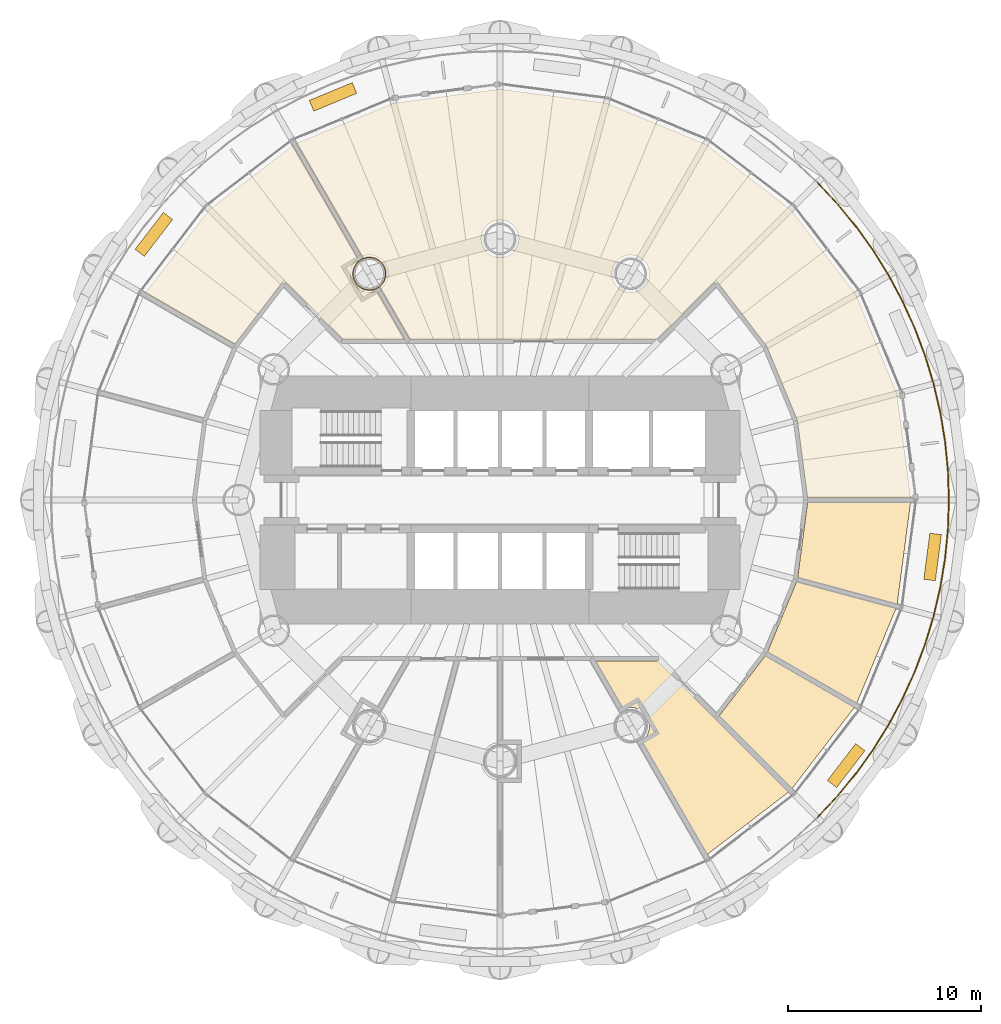
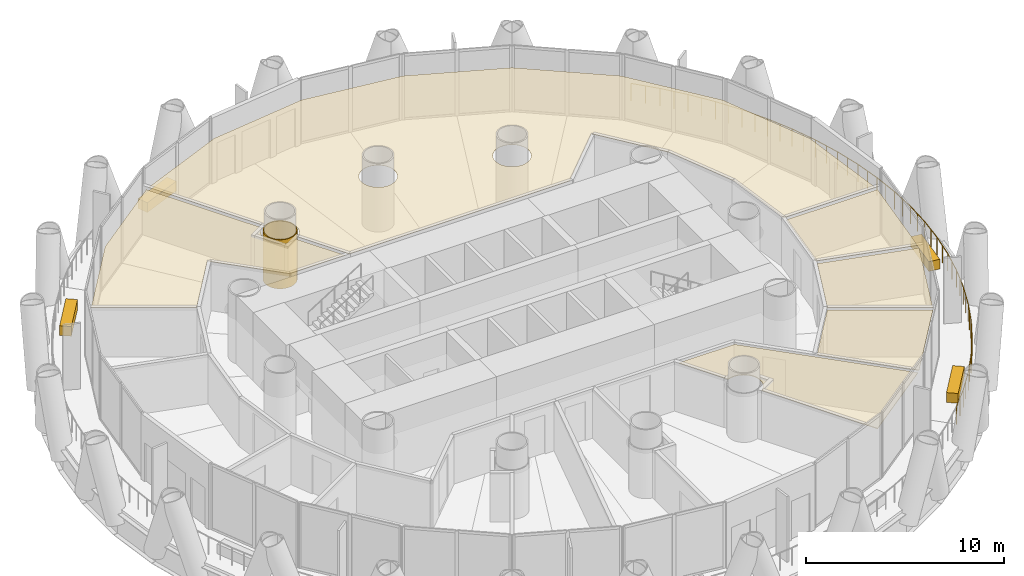
# One storey, part 15 of 16: 11 coverings, 1 railing.
"""IFC4 building model written with IfcOpenShell, lengths in metres."""

from ifc_helpers import new_model, si_unit, direction, frame, origin, origin_2d, place, context, subcontext, project, spatial, polyline, rectangle, circle, outline, extrude, material, layer, layer_set, type_object, element, save


model = new_model("IFC4")

# Units and contexts
model_context = context("Model", 3, precision=1e-05, world=origin(), true_north=direction((0.0, 1.0)))
body_context = subcontext(model_context, "Body", "Model", "MODEL_VIEW")
ifc_project = project(units=[si_unit("LENGTHUNIT", "METRE"), si_unit("AREAUNIT", "SQUARE_METRE"), si_unit("VOLUMEUNIT", "CUBIC_METRE"), si_unit("PLANEANGLEUNIT", "RADIAN"), si_unit("MASSUNIT", "GRAM", prefix="KILO")], contexts=[model_context])

# Site, building, storey
site_placement = place(None, origin())
site = spatial("IfcSite", under=ifc_project, at=site_placement, CompositionType="ELEMENT")
building_placement = place(site_placement, origin())
building = spatial("IfcBuilding", under=site, at=building_placement, Name="Qaws Media Tower", CompositionType="ELEMENT")
storey_placement = place(building_placement, frame((0.0, 0.0, 38.60009765625)))
storey = spatial("IfcBuildingStorey", under=building, at=storey_placement, Name="L07", CompositionType="ELEMENT", Elevation=38.60009765625)

# Coverings
ifc_material_1 = material(Name="40 perforated acoustic panels with mineral wool backing, suspended", Category="mineral fibre")
ifc_layer_1 = layer(ifc_material_1, 0.0400390625)
ifc_layer_set_1 = layer_set([ifc_layer_1], Name="Acoustic panel ceiling 40")
covering_type_1 = type_object("IfcCoveringType", Name="Acoustic panel ceiling 40", PredefinedType="CEILING", material=ifc_layer_set_1)
covering_1_placement = place(storey_placement, frame((0.0, 0.0, 2.849853515625)))
element("IfcCovering", 1, at=covering_1_placement, inside=storey, type_object=covering_type_1, Name="CL3 ceiling L07-11 Podcast booth", PredefinedType="CEILING", context=body_context, shape_type="SweptSolid", body=[
    extrude(outline(polyline([(70.70751953125, 31.6787109375), (67.330078125, 37.528564453125), (67.34228515625, 37.53662109375), (67.43798828125, 37.62060546875), (67.52197265625, 37.71630859375), (67.592529296875, 37.822265625), (67.64892578125, 37.936279296875), (67.689697265625, 38.056884765625), (67.714599609375, 38.181640625), (67.722900390625, 38.30859375), (67.714599609375, 38.435791015625), (67.689697265625, 38.560546875), (67.64892578125, 38.680908203125), (67.592529296875, 38.795166015625), (67.52197265625, 38.90087890625), (67.43798828125, 38.99658203125), (67.34228515625, 39.08056640625), (67.236572265625, 39.1513671875), (67.122314453125, 39.20751953125), (67.001708984375, 39.24853515625), (66.876953125, 39.273193359375), (66.75, 39.28173828125), (66.623046875, 39.273193359375), (66.498291015625, 39.24853515625), (66.377685546875, 39.20751953125), (66.364501953125, 39.201171875), (64.92919921875, 41.6875), (68.1533203125, 41.6875), (74.925537109375, 34.915283203125), (70.70751953125, 31.6787109375)])), origin(), (0.0, 0.0, 1.0), 0.0400390625),
])
covering_2_placement = place(storey_placement, frame((0.0, 0.0, 2.849853515625)))
element("IfcCovering", 2, at=covering_2_placement, inside=storey, type_object=covering_type_1, Name="CL3 ceiling L07-12 Music library", PredefinedType="CEILING", context=body_context, shape_type="SweptSolid", body=[
    extrude(outline(polyline([(73.71240234375, 41.953125), (78.3212890625, 39.29248046875), (75.084716796875, 35.074462890625), (71.321533203125, 38.83740234375), (73.71240234375, 41.953125)])), origin(), (0.0, 0.0, 1.0), 0.0400390625),
])

# Railing
ifc_material_2 = material(Name="Stainless steel and glass guard", Category="steel")
railing_type = type_object("IfcRailingType", Name="Balcony guard 1100", PredefinedType="GUARDRAIL", material=ifc_material_2)
railing_placement = place(storey_placement, frame((76.40478515625, 33.59521484375, 0.0)))
element("IfcRailing", 3, at=railing_placement, inside=storey, type_object=railing_type, Name="GR1 balcony guard L07-4", PredefinedType="GUARDRAIL", context=body_context, shape_type="SweptSolid", body=[
    extrude(circle(Radius=0.02392578125, at=origin_2d()), frame((0.0, 0.0, 1.076171875), z_axis=(0.683652198388, 0.729807969016, 0.0), x_axis=(-0.729807969016, 0.683652198388, 0.0)), (0.0, 0.0, 1.0), 1.51806640625),
    extrude(circle(Radius=0.02392578125, at=origin_2d()), frame((1.037841796875, 1.10791015625, 1.076171875), z_axis=(0.634393000934, 0.773010685803, 0.0), x_axis=(-0.773010685803, 0.634393000934, 0.0)), (0.0, 0.0, 1.0), 1.518310546875),
    extrude(circle(Radius=0.02392578125, at=origin_2d()), frame((2.0009765625, 2.281494140625, 1.076171875), z_axis=(0.582439258661, 0.812874227646, 0.0), x_axis=(-0.812874227646, 0.582439258661, 0.0)), (0.0, 0.0, 1.0), 1.518310546875),
    extrude(circle(Radius=0.02392578125, at=origin_2d()), frame((2.88525390625, 3.515625, 1.076171875), z_axis=(0.528147294252, 0.849152775167, 0.0), x_axis=(-0.849152775167, 0.528147294252, 0.0)), (0.0, 0.0, 1.0), 1.51806640625),
    extrude(circle(Radius=0.02392578125, at=origin_2d()), frame((3.68701171875, 4.8046875, 1.076171875), z_axis=(0.471297483953, 0.881974308934, 0.0), x_axis=(-0.881974308934, 0.471297483953, 0.0)), (0.0, 0.0, 1.0), 1.518310546875),
    extrude(circle(Radius=0.02392578125, at=origin_2d()), frame((4.402587890625, 6.143798828125, 1.076171875), z_axis=(0.41279708395, 0.910823016553, 0.0), x_axis=(-0.910823016553, 0.41279708395, 0.0)), (0.0, 0.0, 1.0), 1.518310546875),
    extrude(circle(Radius=0.02392578125, at=origin_2d()), frame((5.029296875, 7.526611328125, 1.076171875), z_axis=(0.352180618684, 0.935932055132, 0.0), x_axis=(-0.935932055132, 0.352180618684, 0.0)), (0.0, 0.0, 1.0), 1.51806640625),
    extrude(circle(Radius=0.02392578125, at=origin_2d()), frame((5.56396484375, 8.947509765625, 1.076171875), z_axis=(0.290297524602, 0.956936438438, 0.0), x_axis=(-0.956936438438, 0.290297524602, 0.0)), (0.0, 0.0, 1.0), 1.51806640625),
    extrude(circle(Radius=0.02392578125, at=origin_2d()), frame((6.004638671875, 10.400146484375, 1.076171875), z_axis=(0.227066936159, 0.973879153952, 0.0), x_axis=(-0.973879153952, 0.227066936159, 0.0)), (0.0, 0.0, 1.0), 1.51806640625),
    extrude(circle(Radius=0.02392578125, at=origin_2d()), frame((6.349365234375, 11.878662109375, 1.076171875), z_axis=(0.162912287394, 0.986640555935, 0.0), x_axis=(-0.986640555935, 0.162912287394, 0.0)), (0.0, 0.0, 1.0), 1.51806640625),
    extrude(circle(Radius=0.02392578125, at=origin_2d()), frame((6.5966796875, 13.37646484375, 1.076171875), z_axis=(0.098086686613, 0.995177874507, 0.0), x_axis=(-0.995177874507, 0.098086686613, 0.0)), (0.0, 0.0, 1.0), 1.518310546875),
    extrude(circle(Radius=0.02392578125, at=origin_2d()), frame((6.74560546875, 14.887451171875, 1.076171875), z_axis=(0.032645502765, 0.999466993527, 0.0), x_axis=(-0.999466993527, 0.032645502765, 0.0)), (0.0, 0.0, 1.0), 1.51806640625),
    extrude(circle(Radius=0.02392578125, at=origin_2d()), frame((6.795166015625, 16.40478515625, 1.076171875), z_axis=(-0.032645502765, 0.999466993527, 0.0), x_axis=(-0.999466993527, -0.032645502765, 0.0)), (0.0, 0.0, 1.0), 1.51806640625),
    extrude(circle(Radius=0.02392578125, at=origin_2d()), frame((6.74560546875, 17.922119140625, 1.076171875), z_axis=(-0.098086686613, 0.995177874507, 0.0), x_axis=(-0.995177874507, -0.098086686613, 0.0)), (0.0, 0.0, 1.0), 1.518310546875),
    extrude(circle(Radius=0.02392578125, at=origin_2d()), frame((6.5966796875, 19.43310546875, 1.076171875), z_axis=(-0.162912287394, 0.986640555935, 0.0), x_axis=(-0.986640555935, -0.162912287394, 0.0)), (0.0, 0.0, 1.0), 1.51806640625),
    extrude(circle(Radius=0.02392578125, at=origin_2d()), frame((6.349365234375, 20.930908203125, 1.076171875), z_axis=(-0.227066936159, 0.973879153952, 0.0), x_axis=(-0.973879153952, -0.227066936159, 0.0)), (0.0, 0.0, 1.0), 1.51806640625),
    extrude(circle(Radius=0.02392578125, at=origin_2d()), frame((6.004638671875, 22.409423828125, 1.076171875), z_axis=(-0.290297524602, 0.956936438438, 0.0), x_axis=(-0.956936438438, -0.290297524602, 0.0)), (0.0, 0.0, 1.0), 1.51806640625),
    extrude(circle(Radius=0.02392578125, at=origin_2d()), frame((5.56396484375, 23.862060546875, 1.076171875), z_axis=(-0.352180618684, 0.935932055132, 0.0), x_axis=(-0.935932055132, -0.352180618684, 0.0)), (0.0, 0.0, 1.0), 1.51806640625),
    extrude(circle(Radius=0.02392578125, at=origin_2d()), frame((5.029296875, 25.282958984375, 1.076171875), z_axis=(-0.41279708395, 0.910823016553, 0.0), x_axis=(-0.910823016553, -0.41279708395, 0.0)), (0.0, 0.0, 1.0), 1.518310546875),
    extrude(circle(Radius=0.02392578125, at=origin_2d()), frame((4.402587890625, 26.665771484375, 1.076171875), z_axis=(-0.471297483953, 0.881974308934, 0.0), x_axis=(-0.881974308934, -0.471297483953, 0.0)), (0.0, 0.0, 1.0), 1.518310546875),
    extrude(circle(Radius=0.02392578125, at=origin_2d()), frame((3.68701171875, 28.0048828125, 1.076171875), z_axis=(-0.528147294252, 0.849152775167, 0.0), x_axis=(-0.849152775167, -0.528147294252, 0.0)), (0.0, 0.0, 1.0), 1.51806640625),
    extrude(circle(Radius=0.02392578125, at=origin_2d()), frame((2.88525390625, 29.2939453125, 1.076171875), z_axis=(-0.582439258661, 0.812874227646, 0.0), x_axis=(-0.812874227646, -0.582439258661, 0.0)), (0.0, 0.0, 1.0), 1.518310546875),
    extrude(circle(Radius=0.02392578125, at=origin_2d()), frame((2.0009765625, 30.528076171875, 1.076171875), z_axis=(-0.634393000934, 0.773010685803, 0.0), x_axis=(-0.773010685803, -0.634393000934, 0.0)), (0.0, 0.0, 1.0), 1.518310546875),
    extrude(circle(Radius=0.02392578125, at=origin_2d()), frame((1.037841796875, 31.70166015625, 1.076171875), z_axis=(-0.683652198388, 0.729807969016, 0.0), x_axis=(-0.729807969016, -0.683652198388, 0.0)), (0.0, 0.0, 1.0), 1.51806640625),
    extrude(circle(Radius=0.02099609375, at=origin_2d()), origin(), (0.0, 0.0, 1.0), 1.052001953125),
    extrude(circle(Radius=0.02099609375, at=origin_2d()), frame((0.51904296875, 0.553955078125, 0.0)), (0.0, 0.0, 1.0), 1.052001953125),
    extrude(circle(Radius=0.02099609375, at=origin_2d()), frame((1.037841796875, 1.10791015625, 0.0)), (0.0, 0.0, 1.0), 1.052001953125),
    extrude(circle(Radius=0.02099609375, at=origin_2d()), frame((1.51953125, 1.69482421875, 0.0)), (0.0, 0.0, 1.0), 1.052001953125),
    extrude(circle(Radius=0.02099609375, at=origin_2d()), frame((2.0009765625, 2.281494140625, 0.0)), (0.0, 0.0, 1.0), 1.052001953125),
    extrude(circle(Radius=0.02099609375, at=origin_2d()), frame((2.443115234375, 2.8984375, 0.0)), (0.0, 0.0, 1.0), 1.052001953125),
    extrude(circle(Radius=0.02099609375, at=origin_2d()), frame((2.88525390625, 3.515625, 0.0)), (0.0, 0.0, 1.0), 1.052001953125),
    extrude(circle(Radius=0.02099609375, at=origin_2d()), frame((3.2861328125, 4.16015625, 0.0)), (0.0, 0.0, 1.0), 1.052001953125),
    extrude(circle(Radius=0.02099609375, at=origin_2d()), frame((3.68701171875, 4.8046875, 0.0)), (0.0, 0.0, 1.0), 1.052001953125),
    extrude(circle(Radius=0.02099609375, at=origin_2d()), frame((4.044921875, 5.47412109375, 0.0)), (0.0, 0.0, 1.0), 1.052001953125),
    extrude(circle(Radius=0.02099609375, at=origin_2d()), frame((4.402587890625, 6.143798828125, 0.0)), (0.0, 0.0, 1.0), 1.052001953125),
    extrude(circle(Radius=0.02099609375, at=origin_2d()), frame((4.7158203125, 6.835205078125, 0.0)), (0.0, 0.0, 1.0), 1.052001953125),
    extrude(circle(Radius=0.02099609375, at=origin_2d()), frame((5.029296875, 7.526611328125, 0.0)), (0.0, 0.0, 1.0), 1.052001953125),
    extrude(circle(Radius=0.02099609375, at=origin_2d()), frame((5.296630859375, 8.237060546875, 0.0)), (0.0, 0.0, 1.0), 1.052001953125),
    extrude(circle(Radius=0.02099609375, at=origin_2d()), frame((5.56396484375, 8.947509765625, 0.0)), (0.0, 0.0, 1.0), 1.052001953125),
    extrude(circle(Radius=0.02099609375, at=origin_2d()), frame((5.7841796875, 9.673828125, 0.0)), (0.0, 0.0, 1.0), 1.052001953125),
    extrude(circle(Radius=0.02099609375, at=origin_2d()), frame((6.004638671875, 10.400146484375, 0.0)), (0.0, 0.0, 1.0), 1.052001953125),
    extrude(circle(Radius=0.02099609375, at=origin_2d()), frame((6.177001953125, 11.139404296875, 0.0)), (0.0, 0.0, 1.0), 1.052001953125),
    extrude(circle(Radius=0.02099609375, at=origin_2d()), frame((6.349365234375, 11.878662109375, 0.0)), (0.0, 0.0, 1.0), 1.052001953125),
    extrude(circle(Radius=0.02099609375, at=origin_2d()), frame((6.47314453125, 12.62744140625, 0.0)), (0.0, 0.0, 1.0), 1.052001953125),
    extrude(circle(Radius=0.02099609375, at=origin_2d()), frame((6.5966796875, 13.37646484375, 0.0)), (0.0, 0.0, 1.0), 1.052001953125),
    extrude(circle(Radius=0.02099609375, at=origin_2d()), frame((6.671142578125, 14.1318359375, 0.0)), (0.0, 0.0, 1.0), 1.052001953125),
    extrude(circle(Radius=0.02099609375, at=origin_2d()), frame((6.74560546875, 14.887451171875, 0.0)), (0.0, 0.0, 1.0), 1.052001953125),
    extrude(circle(Radius=0.02099609375, at=origin_2d()), frame((6.7705078125, 15.64599609375, 0.0)), (0.0, 0.0, 1.0), 1.052001953125),
    extrude(circle(Radius=0.02099609375, at=origin_2d()), frame((6.795166015625, 16.40478515625, 0.0)), (0.0, 0.0, 1.0), 1.052001953125),
    extrude(circle(Radius=0.02099609375, at=origin_2d()), frame((6.7705078125, 17.16357421875, 0.0)), (0.0, 0.0, 1.0), 1.052001953125),
    extrude(circle(Radius=0.02099609375, at=origin_2d()), frame((6.74560546875, 17.922119140625, 0.0)), (0.0, 0.0, 1.0), 1.052001953125),
    extrude(circle(Radius=0.02099609375, at=origin_2d()), frame((6.671142578125, 18.677734375, 0.0)), (0.0, 0.0, 1.0), 1.052001953125),
    extrude(circle(Radius=0.02099609375, at=origin_2d()), frame((6.5966796875, 19.43310546875, 0.0)), (0.0, 0.0, 1.0), 1.052001953125),
    extrude(circle(Radius=0.02099609375, at=origin_2d()), frame((6.47314453125, 20.18212890625, 0.0)), (0.0, 0.0, 1.0), 1.052001953125),
    extrude(circle(Radius=0.02099609375, at=origin_2d()), frame((6.349365234375, 20.930908203125, 0.0)), (0.0, 0.0, 1.0), 1.052001953125),
    extrude(circle(Radius=0.02099609375, at=origin_2d()), frame((6.177001953125, 21.670166015625, 0.0)), (0.0, 0.0, 1.0), 1.052001953125),
    extrude(circle(Radius=0.02099609375, at=origin_2d()), frame((6.004638671875, 22.409423828125, 0.0)), (0.0, 0.0, 1.0), 1.052001953125),
    extrude(circle(Radius=0.02099609375, at=origin_2d()), frame((5.7841796875, 23.1357421875, 0.0)), (0.0, 0.0, 1.0), 1.052001953125),
    extrude(circle(Radius=0.02099609375, at=origin_2d()), frame((5.56396484375, 23.862060546875, 0.0)), (0.0, 0.0, 1.0), 1.052001953125),
    extrude(circle(Radius=0.02099609375, at=origin_2d()), frame((5.296630859375, 24.572509765625, 0.0)), (0.0, 0.0, 1.0), 1.052001953125),
    extrude(circle(Radius=0.02099609375, at=origin_2d()), frame((5.029296875, 25.282958984375, 0.0)), (0.0, 0.0, 1.0), 1.052001953125),
    extrude(circle(Radius=0.02099609375, at=origin_2d()), frame((4.7158203125, 25.974365234375, 0.0)), (0.0, 0.0, 1.0), 1.052001953125),
    extrude(circle(Radius=0.02099609375, at=origin_2d()), frame((4.402587890625, 26.665771484375, 0.0)), (0.0, 0.0, 1.0), 1.052001953125),
    extrude(circle(Radius=0.02099609375, at=origin_2d()), frame((4.044921875, 27.33544921875, 0.0)), (0.0, 0.0, 1.0), 1.052001953125),
    extrude(circle(Radius=0.02099609375, at=origin_2d()), frame((3.68701171875, 28.0048828125, 0.0)), (0.0, 0.0, 1.0), 1.052001953125),
    extrude(circle(Radius=0.02099609375, at=origin_2d()), frame((3.2861328125, 28.6494140625, 0.0)), (0.0, 0.0, 1.0), 1.052001953125),
    extrude(circle(Radius=0.02099609375, at=origin_2d()), frame((2.88525390625, 29.2939453125, 0.0)), (0.0, 0.0, 1.0), 1.052001953125),
    extrude(circle(Radius=0.02099609375, at=origin_2d()), frame((2.443115234375, 29.9111328125, 0.0)), (0.0, 0.0, 1.0), 1.052001953125),
    extrude(circle(Radius=0.02099609375, at=origin_2d()), frame((2.0009765625, 30.528076171875, 0.0)), (0.0, 0.0, 1.0), 1.052001953125),
    extrude(circle(Radius=0.02099609375, at=origin_2d()), frame((1.51953125, 31.11474609375, 0.0)), (0.0, 0.0, 1.0), 1.052001953125),
    extrude(circle(Radius=0.02099609375, at=origin_2d()), frame((1.037841796875, 31.70166015625, 0.0)), (0.0, 0.0, 1.0), 1.052001953125),
    extrude(circle(Radius=0.02099609375, at=origin_2d()), frame((0.51904296875, 32.255615234375, 0.0)), (0.0, 0.0, 1.0), 1.052001953125),
    extrude(circle(Radius=0.02099609375, at=origin_2d()), frame((0.0, 32.8095703125, 0.0)), (0.0, 0.0, 1.0), 1.052001953125),
])

# Coverings
ifc_material_3 = material(Name="Two layers 15 fire-rated gypsum board on steel framing", Category="steel")
ifc_layer_2 = layer(ifc_material_3, 0.050048828125)
ifc_layer_set_2 = layer_set([ifc_layer_2], Name="Column fire casing")
covering_type_2 = type_object("IfcCoveringType", Name="Column fire casing", PredefinedType="CLADDING", material=ifc_layer_set_2)
covering_3_placement = place(storey_placement, origin())
element("IfcCovering", 4, at=covering_3_placement, inside=storey, type_object=covering_type_2, Name="CC1 column casing L07", PredefinedType="CLADDING", context=body_context, shape_type="SweptSolid", body=[
    extrude(outline(polyline([(54.117919921875, 61.69140625), (54.110595703125, 61.577880859375), (54.08837890625, 61.466796875), (54.052001953125, 61.359130859375), (54.001708984375, 61.25732421875), (53.938720703125, 61.162841796875), (53.86376953125, 61.07763671875), (53.7783203125, 61.002685546875), (53.68408203125, 60.939697265625), (53.582275390625, 60.889404296875), (53.474609375, 60.852783203125), (53.36328125, 60.830810546875), (53.25, 60.8232421875), (53.13671875, 60.830810546875), (53.025390625, 60.852783203125), (52.917724609375, 60.889404296875), (52.81591796875, 60.939697265625), (52.7216796875, 61.002685546875), (52.63623046875, 61.07763671875), (52.561279296875, 61.162841796875), (52.498291015625, 61.25732421875), (52.447998046875, 61.359130859375), (52.41162109375, 61.466796875), (52.389404296875, 61.577880859375), (52.382080078125, 61.69140625), (52.389404296875, 61.8046875), (52.41162109375, 61.916015625), (52.447998046875, 62.0234375), (52.498291015625, 62.125244140625), (52.561279296875, 62.2197265625), (52.63623046875, 62.30517578125), (52.7216796875, 62.3798828125), (52.81591796875, 62.443115234375), (52.917724609375, 62.493408203125), (53.025390625, 62.52978515625), (53.13671875, 62.552001953125), (53.25, 62.559326171875), (53.36328125, 62.552001953125), (53.474609375, 62.52978515625), (53.582275390625, 62.493408203125), (53.68408203125, 62.443115234375), (53.7783203125, 62.3798828125), (53.86376953125, 62.30517578125), (53.938720703125, 62.2197265625), (54.001708984375, 62.125244140625), (54.052001953125, 62.0234375), (54.08837890625, 61.916015625), (54.110595703125, 61.8046875), (54.117919921875, 61.69140625)]), holes=[polyline([(54.06591796875, 61.69140625), (54.05908203125, 61.584716796875), (54.0380859375, 61.47998046875), (54.00390625, 61.379150390625), (53.956787109375, 61.283203125), (53.8974609375, 61.194580078125), (53.826904296875, 61.1142578125), (53.74658203125, 61.0439453125), (53.657958984375, 60.984619140625), (53.562255859375, 60.9375), (53.461181640625, 60.903076171875), (53.3564453125, 60.88232421875), (53.25, 60.875244140625), (53.1435546875, 60.88232421875), (53.038818359375, 60.903076171875), (52.937744140625, 60.9375), (52.842041015625, 60.984619140625), (52.75341796875, 61.0439453125), (52.673095703125, 61.1142578125), (52.6025390625, 61.194580078125), (52.543212890625, 61.283203125), (52.49609375, 61.379150390625), (52.4619140625, 61.47998046875), (52.44091796875, 61.584716796875), (52.43408203125, 61.69140625), (52.44091796875, 61.7978515625), (52.4619140625, 61.902587890625), (52.49609375, 62.003662109375), (52.543212890625, 62.099365234375), (52.6025390625, 62.18798828125), (52.673095703125, 62.268310546875), (52.75341796875, 62.338623046875), (52.842041015625, 62.39794921875), (52.937744140625, 62.4453125), (53.038818359375, 62.4794921875), (53.1435546875, 62.50048828125), (53.25, 62.50732421875), (53.3564453125, 62.50048828125), (53.461181640625, 62.4794921875), (53.562255859375, 62.4453125), (53.657958984375, 62.39794921875), (53.74658203125, 62.338623046875), (53.826904296875, 62.268310546875), (53.8974609375, 62.18798828125), (53.956787109375, 62.099365234375), (54.00390625, 62.003662109375), (54.0380859375, 61.902587890625), (54.05908203125, 61.7978515625), (54.06591796875, 61.69140625)])]), origin(), (0.0, 0.0, 1.0), 3.02001953125),
])
ifc_material_4 = material(Name="600 x 600 mineral fibre tiles in exposed grid, suspended", Category="mineral fibre")
ifc_layer_3 = layer(ifc_material_4, 0.02001953125)
ifc_layer_set_3 = layer_set([ifc_layer_3], Name="Mineral fibre tile ceiling 20")
covering_type_3 = type_object("IfcCoveringType", Name="Mineral fibre tile ceiling 20", PredefinedType="CEILING", material=ifc_layer_set_3)
covering_4_placement = place(storey_placement, frame((0.0, 0.0, 2.849853515625)))
element("IfcCovering", 5, at=covering_4_placement, inside=storey, type_object=covering_type_3, Name="CL1 ceiling L07-02 Production office", PredefinedType="CEILING", context=body_context, shape_type="SweptSolid", body=[
    extrude(outline(polyline([(54.50390625, 70.51171875), (60.0, 71.235107421875), (65.49609375, 70.51171875), (70.61767578125, 68.390380859375), (75.015625, 65.015625), (78.390380859375, 60.61767578125), (80.51171875, 55.49609375), (81.220458984375, 50.112548828125), (75.898681640625, 50.112548828125), (75.37109375, 54.11865234375), (73.781494140625, 57.956787109375), (71.183349609375, 61.342529296875), (68.1533203125, 58.3125), (55.330810546875, 58.3125), (53.830322265625, 60.911376953125), (53.84228515625, 60.91943359375), (53.93798828125, 61.00341796875), (54.02197265625, 61.09912109375), (54.092529296875, 61.204833984375), (54.14892578125, 61.319091796875), (54.189697265625, 61.439453125), (54.214599609375, 61.564208984375), (54.222900390625, 61.69140625), (54.214599609375, 61.818359375), (54.189697265625, 61.943115234375), (54.14892578125, 62.063720703125), (54.092529296875, 62.177734375), (54.02197265625, 62.28369140625), (53.93798828125, 62.37939453125), (53.84228515625, 62.46337890625), (53.736572265625, 62.533935546875), (53.622314453125, 62.59033203125), (53.501708984375, 62.631103515625), (53.376953125, 62.656005859375), (53.25, 62.664306640625), (53.123046875, 62.656005859375), (52.998291015625, 62.631103515625), (52.877685546875, 62.59033203125), (52.864501953125, 62.583984375), (49.4873046875, 68.43359375), (54.50390625, 70.51171875)]), holes=[polyline([(60.89892578125, 63.127685546875), (60.939697265625, 63.248291015625), (60.964599609375, 63.373046875), (60.972900390625, 63.5), (60.964599609375, 63.626953125), (60.939697265625, 63.751708984375), (60.89892578125, 63.872314453125), (60.842529296875, 63.986572265625), (60.77197265625, 64.09228515625), (60.68798828125, 64.18798828125), (60.59228515625, 64.27197265625), (60.486572265625, 64.342529296875), (60.372314453125, 64.39892578125), (60.251708984375, 64.439697265625), (60.126953125, 64.464599609375), (60.0, 64.472900390625), (59.873046875, 64.464599609375), (59.748291015625, 64.439697265625), (59.627685546875, 64.39892578125), (59.513427734375, 64.342529296875), (59.40771484375, 64.27197265625), (59.31201171875, 64.18798828125), (59.22802734375, 64.09228515625), (59.157470703125, 63.986572265625), (59.10107421875, 63.872314453125), (59.060302734375, 63.751708984375), (59.035400390625, 63.626953125), (59.027099609375, 63.5), (59.035400390625, 63.373046875), (59.060302734375, 63.248291015625), (59.10107421875, 63.127685546875), (59.157470703125, 63.013427734375), (59.22802734375, 62.90771484375), (59.31201171875, 62.81201171875), (59.40771484375, 62.72802734375), (59.513427734375, 62.657470703125), (59.627685546875, 62.60107421875), (59.748291015625, 62.560302734375), (59.873046875, 62.535400390625), (60.0, 62.527099609375), (60.126953125, 62.535400390625), (60.251708984375, 62.560302734375), (60.372314453125, 62.60107421875), (60.486572265625, 62.657470703125), (60.59228515625, 62.72802734375), (60.68798828125, 62.81201171875), (60.77197265625, 62.90771484375), (60.842529296875, 63.013427734375), (60.89892578125, 63.127685546875)]), polyline([(67.64892578125, 61.319091796875), (67.689697265625, 61.439453125), (67.714599609375, 61.564208984375), (67.722900390625, 61.69140625), (67.714599609375, 61.818359375), (67.689697265625, 61.943115234375), (67.64892578125, 62.063720703125), (67.592529296875, 62.177734375), (67.52197265625, 62.28369140625), (67.43798828125, 62.37939453125), (67.34228515625, 62.46337890625), (67.236572265625, 62.533935546875), (67.122314453125, 62.59033203125), (67.001708984375, 62.631103515625), (66.876953125, 62.656005859375), (66.75, 62.664306640625), (66.623046875, 62.656005859375), (66.498291015625, 62.631103515625), (66.377685546875, 62.59033203125), (66.263427734375, 62.533935546875), (66.15771484375, 62.46337890625), (66.06201171875, 62.37939453125), (65.97802734375, 62.28369140625), (65.907470703125, 62.177734375), (65.85107421875, 62.063720703125), (65.810302734375, 61.943115234375), (65.785400390625, 61.818359375), (65.777099609375, 61.69140625), (65.785400390625, 61.564208984375), (65.810302734375, 61.439453125), (65.85107421875, 61.319091796875), (65.907470703125, 61.204833984375), (65.97802734375, 61.09912109375), (66.06201171875, 61.00341796875), (66.15771484375, 60.91943359375), (66.263427734375, 60.8486328125), (66.377685546875, 60.79248046875), (66.498291015625, 60.75146484375), (66.623046875, 60.726806640625), (66.75, 60.71826171875), (66.876953125, 60.726806640625), (67.001708984375, 60.75146484375), (67.122314453125, 60.79248046875), (67.236572265625, 60.8486328125), (67.34228515625, 60.91943359375), (67.43798828125, 61.00341796875), (67.52197265625, 61.09912109375), (67.592529296875, 61.204833984375), (67.64892578125, 61.319091796875)])]), origin(), (0.0, 0.0, 1.0), 0.02001953125),
])
covering_5_placement = place(storey_placement, frame((0.0, 0.0, 2.849853515625)))
element("IfcCovering", 6, at=covering_5_placement, inside=storey, type_object=covering_type_3, Name="CL1 ceiling L07-13 Gents toilets", PredefinedType="CEILING", context=body_context, shape_type="SweptSolid", body=[
    extrude(outline(polyline([(78.43359375, 39.4873046875), (73.824951171875, 42.148193359375), (75.327880859375, 45.776611328125), (80.46826171875, 44.399169921875), (78.43359375, 39.4873046875)])), origin(), (0.0, 0.0, 1.0), 0.02001953125),
])
covering_6_placement = place(storey_placement, frame((0.0, 0.0, 2.849853515625)))
element("IfcCovering", 7, at=covering_6_placement, inside=storey, type_object=covering_type_3, Name="CL1 ceiling L07-14 Ladies toilets", PredefinedType="CEILING", context=body_context, shape_type="SweptSolid", body=[
    extrude(outline(polyline([(80.526611328125, 44.616455078125), (75.385986328125, 45.993896484375), (75.898681640625, 49.887451171875), (81.220458984375, 49.887451171875), (80.526611328125, 44.616455078125)])), origin(), (0.0, 0.0, 1.0), 0.02001953125),
])
ifc_material_5 = material(Name="Precast concrete planter with trailing planting", Category="concrete")
ifc_layer_4 = layer(ifc_material_5, 0.60009765625)
ifc_layer_set_4 = layer_set([ifc_layer_4], Name="Planter 2400x600")
covering_type_4 = type_object("IfcCoveringType", Name="Planter 2400x600", PredefinedType="USERDEFINED", material=ifc_layer_set_4)
for number, where, z_axis, x_axis, name in (
    (8, (51.37060546875, 70.83349609375, -0.000244140625), (0.0, 0.0, 1.0), (-0.923879532511, -0.382683432365, 0.0), "PL1 balcony planter L07-04"),
    (9, (42.10986328125, 63.7275390625, -0.000244140625), (0.0, 0.0, 1.0), (-0.608761429009, -0.793353340291, 0.0), "PL1 balcony planter L07-05"),
    (10, (77.89013671875, 36.2724609375, -0.000244140625), (0.0, 0.0, 1.0), (0.608761429009, 0.793353340291, 0.0), "PL1 balcony planter L07-11"),
    (11, (82.357177734375, 47.056640625, -0.000244140625), (0.0, 0.0, 1.0), (0.13052619222, 0.991444861374, 0.0), "PL1 balcony planter L07-12"),
):
    element("IfcCovering", number, at=place(storey_placement, frame(where, z_axis=z_axis, x_axis=x_axis)), inside=storey, type_object=covering_type_4, Name=name, ObjectType="PLANTER", PredefinedType="USERDEFINED", context=body_context, shape_type="SweptSolid", body=[
        extrude(rectangle(XDim=2.39990234375, YDim=0.60009765625, at=origin_2d()), origin(), (0.0, 0.0, 1.0), 0.60009765625),
    ])
ifc_material_6 = material(Name="Two layers 12.5 moisture-resistant plasterboard on suspended metal furring", Category="gypsum")
ifc_layer_5 = layer(ifc_material_6, 0.02490234375)
ifc_layer_set_5 = layer_set([ifc_layer_5], Name="Plasterboard ceiling 25")
covering_type_5 = type_object("IfcCoveringType", Name="Plasterboard ceiling 25", PredefinedType="CEILING", material=ifc_layer_set_5)
covering_7_placement = place(storey_placement, frame((0.0, 0.0, 2.849853515625)))
element("IfcCovering", 12, at=covering_7_placement, inside=storey, type_object=covering_type_5, Name="CL2 ceiling L07-03 Green room", PredefinedType="CEILING", context=body_context, shape_type="SweptSolid", body=[
    extrude(outline(polyline([(44.984375, 65.015625), (49.29248046875, 68.3212890625), (52.669921875, 62.471435546875), (52.65771484375, 62.46337890625), (52.56201171875, 62.37939453125), (52.47802734375, 62.28369140625), (52.407470703125, 62.177734375), (52.35107421875, 62.063720703125), (52.310302734375, 61.943115234375), (52.285400390625, 61.818359375), (52.277099609375, 61.69140625), (52.285400390625, 61.564208984375), (52.310302734375, 61.439453125), (52.35107421875, 61.319091796875), (52.407470703125, 61.204833984375), (52.47802734375, 61.09912109375), (52.56201171875, 61.00341796875), (52.65771484375, 60.91943359375), (52.763427734375, 60.8486328125), (52.877685546875, 60.79248046875), (52.998291015625, 60.75146484375), (53.123046875, 60.726806640625), (53.25, 60.71826171875), (53.376953125, 60.726806640625), (53.501708984375, 60.75146484375), (53.622314453125, 60.79248046875), (53.635498046875, 60.798828125), (55.07080078125, 58.3125), (51.8466796875, 58.3125), (48.816650390625, 61.342529296875), (46.28759765625, 58.046875), (41.6787109375, 60.70751953125), (44.984375, 65.015625)])), origin(), (0.0, 0.0, 1.0), 0.025146484375),
])

save(model, "model.ifc")
